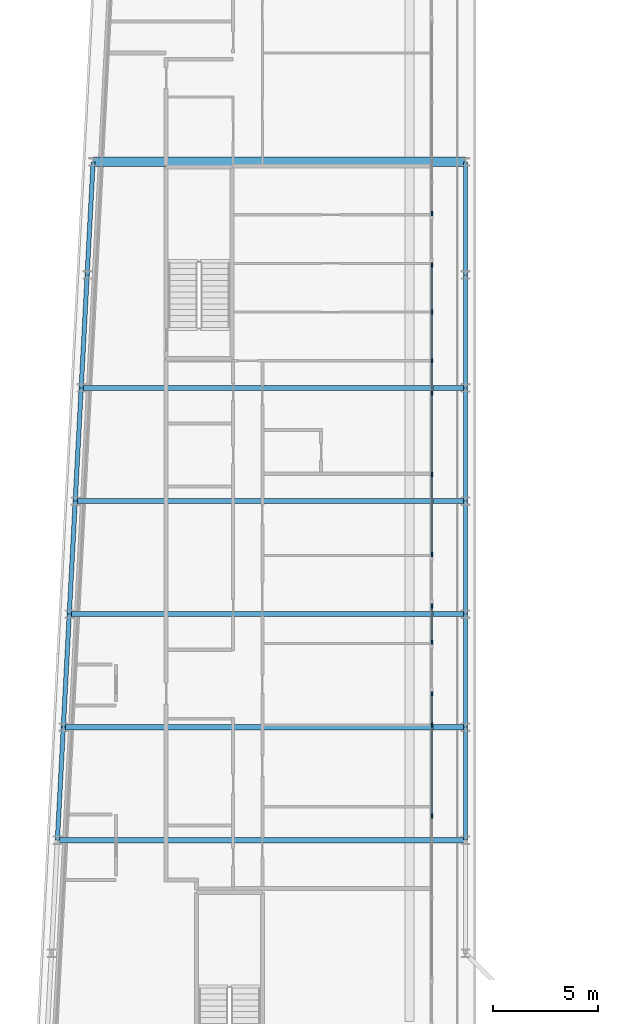
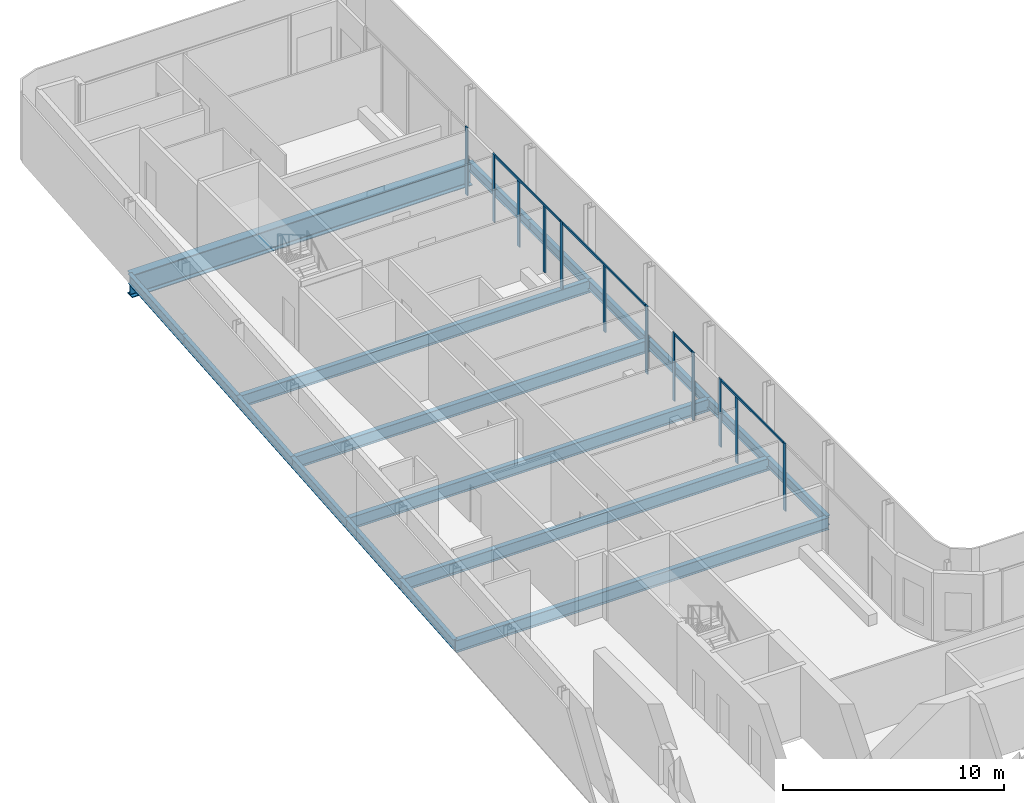
# One storey, part 7 of 21: 18 beams, 16 members, 5 elements without a shape of their own.
"""IFC4 building model written with IfcOpenShell, lengths in metres."""

from ifc_helpers import new_model, si_unit, direction, frame, origin, origin_2d, place, context, subcontext, project, spatial, rectangle, i_section, extrude, material, layer, layer_set, material_profile, profile_set, type_object, element, aggregate, save


model = new_model("IFC4")

# Units and contexts
model_context = context("Model", 3, precision=1e-05, world=origin(), true_north=direction((0.0, 1.0)))
body_context = subcontext(model_context, "Body", "Model", "MODEL_VIEW")
ifc_project = project(units=[si_unit("LENGTHUNIT", "METRE"), si_unit("AREAUNIT", "SQUARE_METRE"), si_unit("VOLUMEUNIT", "CUBIC_METRE"), si_unit("PLANEANGLEUNIT", "RADIAN"), si_unit("MASSUNIT", "GRAM", prefix="KILO")], contexts=[model_context])

# Site, building, storey
site_placement = place(None, origin())
site = spatial("IfcSite", under=ifc_project, at=site_placement, CompositionType="ELEMENT")
building_placement = place(site_placement, origin())
building = spatial("IfcBuilding", under=site, at=building_placement, Name="Kheshtan School and Residences Tower", CompositionType="ELEMENT")
storey_placement = place(building_placement, frame((0.0, 0.0, 317.60009765625)))
storey = spatial("IfcBuildingStorey", under=building, at=storey_placement, Name="L75", CompositionType="ELEMENT", Elevation=317.60009765625)

# Beams
ifc_material_1 = material(Name="Steel ASTM A992 Grade 50", Category="steel")
ifc_material_profile_1 = material_profile(ifc_material_1, i_section(OverallWidth=0.2529296875, OverallDepth=0.677978515625, WebThickness=0.01171875, FlangeThickness=0.016357421875, FilletRadius=0.0146484375, at=origin_2d()), Name="W690x125")
ifc_profile_set_1 = profile_set([ifc_material_profile_1], Name="Steel ASTM A992 Grade 50")
beam_type_1 = type_object("IfcBeamType", Name="Beam FB6 W690x125 ASTM A992 Grade 50", PredefinedType="BEAM", material=ifc_profile_set_1)
beam_1_placement = place(storey_placement, frame((47.60009765625, 78.0, -0.489013671875), z_axis=(-1.0, 0.0, 0.0), x_axis=(0.0, -1.0, 0.0)))
element("IfcBeam", 1, at=beam_1_placement, inside=storey, type_object=beam_type_1, Name="Floor beam C089", PredefinedType="BEAM", context=body_context, shape_type="SweptSolid", body=[
    extrude(i_section(OverallWidth=0.2529296875, OverallDepth=0.677978515625, WebThickness=0.01171875, FlangeThickness=0.016357421875, FilletRadius=0.0146484375, at=origin_2d()), origin(), (0.0, 0.0, 1.0), 18.357177734375),
])
beam_2_placement = place(storey_placement, frame((47.60009765625, 67.199951171875, -0.489013671875), z_axis=(-1.0, 0.0, 0.0), x_axis=(0.0, -1.0, 0.0)))
element("IfcBeam", 2, at=beam_2_placement, inside=storey, type_object=beam_type_1, Name="Floor beam C085", PredefinedType="BEAM", context=body_context, shape_type="SweptSolid", body=[
    extrude(i_section(OverallWidth=0.2529296875, OverallDepth=0.677978515625, WebThickness=0.01171875, FlangeThickness=0.016357421875, FilletRadius=0.0146484375, at=origin_2d()), origin(), (0.0, 0.0, 1.0), 18.926025390625),
])
beam_3_placement = place(storey_placement, frame((47.60009765625, 56.39990234375, -0.489013671875), z_axis=(-1.0, 0.0, 0.0), x_axis=(0.0, -1.0, 0.0)))
element("IfcBeam", 3, at=beam_3_placement, inside=storey, type_object=beam_type_1, Name="Floor beam C081", PredefinedType="BEAM", context=body_context, shape_type="SweptSolid", body=[
    extrude(i_section(OverallWidth=0.2529296875, OverallDepth=0.677978515625, WebThickness=0.01171875, FlangeThickness=0.016357421875, FilletRadius=0.0146484375, at=origin_2d()), origin(), (0.0, 0.0, 1.0), 19.494140625),
])
beam_4_placement = place(storey_placement, frame((28.389892578125, 61.800048828125, -0.489013671875), z_axis=(1.0, 0.0, 0.0), x_axis=(0.0, 1.0, 0.0)))
element("IfcBeam", 4, at=beam_4_placement, inside=storey, type_object=beam_type_1, Name="Floor beam C082", PredefinedType="BEAM", context=body_context, shape_type="SweptSolid", body=[
    extrude(i_section(OverallWidth=0.2529296875, OverallDepth=0.677978515625, WebThickness=0.01171875, FlangeThickness=0.016357421875, FilletRadius=0.0146484375, at=origin_2d()), origin(), (0.0, 0.0, 1.0), 19.210205078125),
])
beam_5_placement = place(storey_placement, frame((28.9580078125, 72.60009765625, -0.489013671875), z_axis=(1.0, 0.0, 0.0), x_axis=(0.0, 1.0, 0.0)))
element("IfcBeam", 5, at=beam_5_placement, inside=storey, type_object=beam_type_1, Name="Floor beam C086", PredefinedType="BEAM", context=body_context, shape_type="SweptSolid", body=[
    extrude(i_section(OverallWidth=0.2529296875, OverallDepth=0.677978515625, WebThickness=0.01171875, FlangeThickness=0.016357421875, FilletRadius=0.0146484375, at=origin_2d()), origin(), (0.0, 0.0, 1.0), 18.64208984375),
])
ifc_material_profile_2 = material_profile(ifc_material_1, i_section(OverallWidth=0.208984375, OverallDepth=0.532958984375, WebThickness=0.01025390625, FlangeThickness=0.015625, FilletRadius=0.013916015625, at=origin_2d()), Name="W530x92")
ifc_profile_set_2 = profile_set([ifc_material_profile_2], Name="Steel ASTM A992 Grade 50")
beam_type_2 = type_object("IfcBeamType", Name="Beam SP3 W530x92 ASTM A992 Grade 50", PredefinedType="BEAM", material=ifc_profile_set_2)
beam_6_placement = place(storey_placement, frame((47.60009765625, 88.800048828125, -0.41650390625), z_axis=(0.0, -1.0, 0.0), x_axis=(1.0, 0.0, 0.0)))
element("IfcBeam", 6, at=beam_6_placement, inside=storey, type_object=beam_type_2, Name="Spandrel beam C099-C091", PredefinedType="BEAM", context=body_context, shape_type="SweptSolid", body=[
    extrude(i_section(OverallWidth=0.208984375, OverallDepth=0.532958984375, WebThickness=0.01025390625, FlangeThickness=0.015625, FilletRadius=0.013916015625, at=origin_2d()), origin(), (0.0, 0.0, 1.0), 5.400146484375),
])
for number, where, z_axis, x_axis, name in (
    (7, (47.60009765625, 83.39990234375, -0.41650390625), (0.0, -1.0, 0.0), (1.0, 0.0, 0.0), "Spandrel beam C091-C089"),
    (8, (47.60009765625, 78.0, -0.41650390625), (0.0, -1.0, 0.0), (1.0, 0.0, 0.0), "Spandrel beam C089-C087"),
):
    element("IfcBeam", number, at=place(storey_placement, frame(where, z_axis=z_axis, x_axis=x_axis)), inside=storey, type_object=beam_type_2, Name=name, PredefinedType="BEAM", context=body_context, shape_type="SweptSolid", body=[
        extrude(i_section(OverallWidth=0.208984375, OverallDepth=0.532958984375, WebThickness=0.01025390625, FlangeThickness=0.015625, FilletRadius=0.013916015625, at=origin_2d()), origin(), (0.0, 0.0, 1.0), 5.39990234375),
    ])
beam_7_placement = place(storey_placement, frame((47.60009765625, 72.60009765625, -0.41650390625), z_axis=(0.0, -1.0, 0.0), x_axis=(1.0, 0.0, 0.0)))
element("IfcBeam", 9, at=beam_7_placement, inside=storey, type_object=beam_type_2, Name="Spandrel beam C087-C085", PredefinedType="BEAM", context=body_context, shape_type="SweptSolid", body=[
    extrude(i_section(OverallWidth=0.208984375, OverallDepth=0.532958984375, WebThickness=0.01025390625, FlangeThickness=0.015625, FilletRadius=0.013916015625, at=origin_2d()), origin(), (0.0, 0.0, 1.0), 5.400146484375),
])
beam_8_placement = place(storey_placement, frame((47.60009765625, 67.199951171875, -0.41650390625), z_axis=(0.0, -1.0, 0.0), x_axis=(1.0, 0.0, 0.0)))
element("IfcBeam", 10, at=beam_8_placement, inside=storey, type_object=beam_type_2, Name="Spandrel beam C085-C083", PredefinedType="BEAM", context=body_context, shape_type="SweptSolid", body=[
    extrude(i_section(OverallWidth=0.208984375, OverallDepth=0.532958984375, WebThickness=0.01025390625, FlangeThickness=0.015625, FilletRadius=0.013916015625, at=origin_2d()), origin(), (0.0, 0.0, 1.0), 5.39990234375),
])
beam_9_placement = place(storey_placement, frame((47.60009765625, 61.800048828125, -0.41650390625), z_axis=(0.0, -1.0, 0.0), x_axis=(1.0, 0.0, 0.0)))
element("IfcBeam", 11, at=beam_9_placement, inside=storey, type_object=beam_type_2, Name="Spandrel beam C083-C081", PredefinedType="BEAM", context=body_context, shape_type="SweptSolid", body=[
    extrude(i_section(OverallWidth=0.208984375, OverallDepth=0.532958984375, WebThickness=0.01025390625, FlangeThickness=0.015625, FilletRadius=0.013916015625, at=origin_2d()), origin(), (0.0, 0.0, 1.0), 5.400146484375),
])
beam_10_placement = place(storey_placement, frame((28.10595703125, 56.39990234375, -0.41650390625), z_axis=(0.05250670125, 0.998620571751, 0.0), x_axis=(-0.998620571751, 0.05250670125, 0.0)))
element("IfcBeam", 12, at=beam_10_placement, inside=storey, type_object=beam_type_2, Name="Spandrel beam C080-C082", PredefinedType="BEAM", context=body_context, shape_type="SweptSolid", body=[
    extrude(i_section(OverallWidth=0.208984375, OverallDepth=0.532958984375, WebThickness=0.01025390625, FlangeThickness=0.015625, FilletRadius=0.013916015625, at=origin_2d()), origin(), (0.0, 0.0, 1.0), 5.40771484375),
])
beam_11_placement = place(storey_placement, frame((28.389892578125, 61.800048828125, -0.41650390625), z_axis=(0.052554093665, 0.998618078766, 0.0), x_axis=(-0.998618078766, 0.052554093665, 0.0)))
element("IfcBeam", 13, at=beam_11_placement, inside=storey, type_object=beam_type_2, Name="Spandrel beam C082-C084", PredefinedType="BEAM", context=body_context, shape_type="SweptSolid", body=[
    extrude(i_section(OverallWidth=0.208984375, OverallDepth=0.532958984375, WebThickness=0.01025390625, FlangeThickness=0.015625, FilletRadius=0.013916015625, at=origin_2d()), origin(), (0.0, 0.0, 1.0), 5.407470703125),
])
beam_12_placement = place(storey_placement, frame((28.674072265625, 67.199951171875, -0.41650390625), z_axis=(0.05250670125, 0.998620571751, 0.0), x_axis=(-0.998620571751, 0.05250670125, 0.0)))
element("IfcBeam", 14, at=beam_12_placement, inside=storey, type_object=beam_type_2, Name="Spandrel beam C084-C086", PredefinedType="BEAM", context=body_context, shape_type="SweptSolid", body=[
    extrude(i_section(OverallWidth=0.208984375, OverallDepth=0.532958984375, WebThickness=0.01025390625, FlangeThickness=0.015625, FilletRadius=0.013916015625, at=origin_2d()), origin(), (0.0, 0.0, 1.0), 5.40771484375),
])
for number, where, z_axis, x_axis, name in (
    (15, (28.9580078125, 72.60009765625, -0.41650390625), (0.052689166816, 0.998610961136, 0.0), (-0.998610961136, 0.052689166816, 0.0), "Spandrel beam C086-C088"),
    (16, (29.242919921875, 78.0, -0.41650390625), (0.052554093665, 0.998618078766, 0.0), (-0.998618078766, 0.052554093665, 0.0), "Spandrel beam C088-C090"),
):
    element("IfcBeam", number, at=place(storey_placement, frame(where, z_axis=z_axis, x_axis=x_axis)), inside=storey, type_object=beam_type_2, Name=name, PredefinedType="BEAM", context=body_context, shape_type="SweptSolid", body=[
        extrude(i_section(OverallWidth=0.208984375, OverallDepth=0.532958984375, WebThickness=0.01025390625, FlangeThickness=0.015625, FilletRadius=0.013916015625, at=origin_2d()), origin(), (0.0, 0.0, 1.0), 5.407470703125),
    ])
beam_13_placement = place(storey_placement, frame((29.527099609375, 83.39990234375, -0.41650390625), z_axis=(0.05250670125, 0.998620571751, 0.0), x_axis=(-0.998620571751, 0.05250670125, 0.0)))
element("IfcBeam", 17, at=beam_13_placement, inside=storey, type_object=beam_type_2, Name="Spandrel beam C090-C098", PredefinedType="BEAM", context=body_context, shape_type="SweptSolid", body=[
    extrude(i_section(OverallWidth=0.208984375, OverallDepth=0.532958984375, WebThickness=0.01025390625, FlangeThickness=0.015625, FilletRadius=0.013916015625, at=origin_2d()), origin(), (0.0, 0.0, 1.0), 5.40771484375),
])

# Curtain wall, member
ifc_material_2 = material(Name="Clear low-e glass in thermally broken aluminium frame", Category="aluminium")
ifc_layer = layer(ifc_material_2, 0.199951171875)
ifc_layer_set = layer_set([ifc_layer], Name="Curtain wall CW-L")
curtain_wall_type = type_object("IfcCurtainWallType", Name="Curtain wall CW-L", PredefinedType="NOTDEFINED", material=ifc_layer_set)
curtain_wall_1_placement = place(storey_placement, origin())
curtain_wall_1 = element("IfcCurtainWall", 18, at=curtain_wall_1_placement, inside=storey, type_object=curtain_wall_type, Name="Curtain wall CWL8a", PredefinedType="NOTDEFINED")
ifc_material_3 = material(Name="Thermally broken aluminium, dark bronze anodised", Category="aluminium")
ifc_material_profile_3 = material_profile(ifc_material_3, rectangle(XDim=0.06005859375, YDim=0.199951171875, at=origin_2d()), Name="CW-L mullion 60x200")
ifc_profile_set_3 = profile_set([ifc_material_profile_3], Name="Thermally broken aluminium, dark bronze anodised")
member_type_1 = type_object("IfcMemberType", Name="CW-L mullion 60x200", PredefinedType="MULLION", material=ifc_profile_set_3)
member_1_placement = place(storey_placement, frame((46.0, 86.3359375, 0.0), z_axis=(0.0, 0.0, 1.0), x_axis=(1.0, 0.0, 0.0)))
member_1 = element("IfcMember", 19, at=member_1_placement, type_object=member_type_1, Name="CWL8a mullion 2", PredefinedType="MULLION", context=body_context, shape_type="SweptSolid", body=[
    extrude(rectangle(XDim=0.06005859375, YDim=0.199951171875, at=origin_2d()), origin(), (0.0, 0.0, 1.0), 3.75),
])
aggregate(curtain_wall_1, [member_1])

# Curtain wall, members
curtain_wall_2_placement = place(storey_placement, origin())
curtain_wall_2 = element("IfcCurtainWall", 20, at=curtain_wall_2_placement, inside=storey, type_object=curtain_wall_type, Name="Curtain wall CWL8b", PredefinedType="NOTDEFINED")
member_2_placement = place(storey_placement, frame((46.0, 83.8759765625, 0.0), z_axis=(0.0, 0.0, 1.0), x_axis=(1.0, 0.0, 0.0)))
member_2 = element("IfcMember", 21, at=member_2_placement, type_object=member_type_1, Name="CWL8b mullion 1", PredefinedType="MULLION", context=body_context, shape_type="SweptSolid", body=[
    extrude(rectangle(XDim=0.06005859375, YDim=0.199951171875, at=origin_2d()), origin(), (0.0, 0.0, 1.0), 3.75),
])
member_3_placement = place(storey_placement, frame((46.0, 81.625, 0.0), z_axis=(0.0, 0.0, 1.0), x_axis=(1.0, 0.0, 0.0)))
member_3 = element("IfcMember", 22, at=member_3_placement, type_object=member_type_1, Name="CWL8b mullion 2", PredefinedType="MULLION", context=body_context, shape_type="SweptSolid", body=[
    extrude(rectangle(XDim=0.06005859375, YDim=0.199951171875, at=origin_2d()), origin(), (0.0, 0.0, 1.0), 3.6298828125),
])
member_4_placement = place(storey_placement, frame((46.0, 79.300048828125, 0.0), z_axis=(0.0, 0.0, 1.0), x_axis=(1.0, 0.0, 0.0)))
member_4 = element("IfcMember", 23, at=member_4_placement, type_object=member_type_1, Name="CWL8b mullion 3", PredefinedType="MULLION", context=body_context, shape_type="SweptSolid", body=[
    extrude(rectangle(XDim=0.06005859375, YDim=0.199951171875, at=origin_2d()), origin(), (0.0, 0.0, 1.0), 3.6298828125),
])
member_5_placement = place(storey_placement, frame((46.0, 77.741943359375, 0.0), z_axis=(0.0, 0.0, 1.0), x_axis=(1.0, 0.0, 0.0)))
member_5 = element("IfcMember", 24, at=member_5_placement, type_object=member_type_1, Name="CWL8b mullion 4", PredefinedType="MULLION", context=body_context, shape_type="SweptSolid", body=[
    extrude(rectangle(XDim=0.06005859375, YDim=0.199951171875, at=origin_2d()), origin(), (0.0, 0.0, 1.0), 3.75),
])

curtain_wall_3_placement = place(storey_placement, origin())
curtain_wall_3 = element("IfcCurtainWall", 25, at=curtain_wall_3_placement, inside=storey, type_object=curtain_wall_type, Name="Curtain wall CWL8", PredefinedType="NOTDEFINED")
member_6_placement = place(storey_placement, frame((46.0, 73.864990234375, 0.0), z_axis=(0.0, 0.0, 1.0), x_axis=(1.0, 0.0, 0.0)))
member_6 = element("IfcMember", 26, at=member_6_placement, type_object=member_type_1, Name="CWL8 mullion 2", PredefinedType="MULLION", context=body_context, shape_type="SweptSolid", body=[
    extrude(rectangle(XDim=0.06005859375, YDim=0.199951171875, at=origin_2d()), origin(), (0.0, 0.0, 1.0), 3.6298828125),
])
member_7_placement = place(storey_placement, frame((46.0, 70.048095703125, 0.0), z_axis=(0.0, 0.0, 1.0), x_axis=(1.0, 0.0, 0.0)))
member_7 = element("IfcMember", 27, at=member_7_placement, type_object=member_type_1, Name="CWL8 mullion 3", PredefinedType="MULLION", context=body_context, shape_type="SweptSolid", body=[
    extrude(rectangle(XDim=0.06005859375, YDim=0.199951171875, at=origin_2d()), origin(), (0.0, 0.0, 1.0), 3.75),
])

curtain_wall_4_placement = place(storey_placement, origin())
curtain_wall_4 = element("IfcCurtainWall", 28, at=curtain_wall_4_placement, inside=storey, type_object=curtain_wall_type, Name="Curtain wall CWL8e", PredefinedType="NOTDEFINED")
member_8_placement = place(storey_placement, frame((46.0, 67.587890625, 0.0), z_axis=(0.0, 0.0, 1.0), x_axis=(1.0, 0.0, 0.0)))
member_8 = element("IfcMember", 29, at=member_8_placement, type_object=member_type_1, Name="CWL8e mullion 1", PredefinedType="MULLION", context=body_context, shape_type="SweptSolid", body=[
    extrude(rectangle(XDim=0.06005859375, YDim=0.199951171875, at=origin_2d()), origin(), (0.0, 0.0, 1.0), 3.75),
])
member_9_placement = place(storey_placement, frame((46.0, 65.847900390625, 0.0), z_axis=(0.0, 0.0, 1.0), x_axis=(1.0, 0.0, 0.0)))
member_9 = element("IfcMember", 30, at=member_9_placement, type_object=member_type_1, Name="CWL8e mullion 2", PredefinedType="MULLION", context=body_context, shape_type="SweptSolid", body=[
    extrude(rectangle(XDim=0.06005859375, YDim=0.199951171875, at=origin_2d()), origin(), (0.0, 0.0, 1.0), 3.75),
])

curtain_wall_5_placement = place(storey_placement, origin())
curtain_wall_5 = element("IfcCurtainWall", 31, at=curtain_wall_5_placement, inside=storey, type_object=curtain_wall_type, Name="Curtain wall CWL8m", PredefinedType="NOTDEFINED")
member_10_placement = place(storey_placement, frame((46.0, 63.387939453125, 0.0), z_axis=(0.0, 0.0, 1.0), x_axis=(1.0, 0.0, 0.0)))
member_10 = element("IfcMember", 32, at=member_10_placement, type_object=member_type_1, Name="CWL8m mullion 1", PredefinedType="MULLION", context=body_context, shape_type="SweptSolid", body=[
    extrude(rectangle(XDim=0.06005859375, YDim=0.199951171875, at=origin_2d()), origin(), (0.0, 0.0, 1.0), 3.75),
])
member_11_placement = place(storey_placement, frame((46.0, 61.89990234375, 0.0), z_axis=(0.0, 0.0, 1.0), x_axis=(1.0, 0.0, 0.0)))
member_11 = element("IfcMember", 33, at=member_11_placement, type_object=member_type_1, Name="CWL8m mullion 2", PredefinedType="MULLION", context=body_context, shape_type="SweptSolid", body=[
    extrude(rectangle(XDim=0.06005859375, YDim=0.199951171875, at=origin_2d()), origin(), (0.0, 0.0, 1.0), 3.6298828125),
])
member_12_placement = place(storey_placement, frame((46.0, 57.553955078125, 0.0), z_axis=(0.0, 0.0, 1.0), x_axis=(1.0, 0.0, 0.0)))
member_12 = element("IfcMember", 34, at=member_12_placement, type_object=member_type_1, Name="CWL8m mullion 3", PredefinedType="MULLION", context=body_context, shape_type="SweptSolid", body=[
    extrude(rectangle(XDim=0.06005859375, YDim=0.199951171875, at=origin_2d()), origin(), (0.0, 0.0, 1.0), 3.75),
])

# Member
ifc_material_profile_4 = material_profile(ifc_material_3, rectangle(XDim=0.06005859375, YDim=0.1201171875, at=origin_2d()), Name="CW-L transom 60x120")
ifc_profile_set_4 = profile_set([ifc_material_profile_4], Name="Thermally broken aluminium, dark bronze anodised")
member_type_2 = type_object("IfcMemberType", Name="CW-L transom 60x120", PredefinedType="USERDEFINED", material=ifc_profile_set_4)
member_13_placement = place(storey_placement, frame((46.0, 83.845947265625, 3.68994140625), z_axis=(0.0, -1.0, 0.0), x_axis=(1.0, 0.0, 0.0)))
member_13 = element("IfcMember", 35, at=member_13_placement, type_object=member_type_2, Name="CWL8b transom 1", ObjectType="TRANSOM", PredefinedType="USERDEFINED", context=body_context, shape_type="SweptSolid", body=[
    extrude(rectangle(XDim=0.06005859375, YDim=0.1201171875, at=origin_2d()), origin(), (0.0, 0.0, 1.0), 6.073974609375),
])

aggregate(curtain_wall_2, [member_2, member_3, member_4, member_5, member_13])

member_14_placement = place(storey_placement, frame((46.0, 77.7119140625, 3.68994140625), z_axis=(0.0, -1.0, 0.0), x_axis=(1.0, 0.0, 0.0)))
member_14 = element("IfcMember", 36, at=member_14_placement, type_object=member_type_2, Name="CWL8 transom 1", ObjectType="TRANSOM", PredefinedType="USERDEFINED", context=body_context, shape_type="SweptSolid", body=[
    extrude(rectangle(XDim=0.06005859375, YDim=0.1201171875, at=origin_2d()), origin(), (0.0, 0.0, 1.0), 7.634033203125),
])

aggregate(curtain_wall_3, [member_6, member_7, member_14])

member_15_placement = place(storey_placement, frame((46.0, 67.55810546875, 3.68994140625), z_axis=(0.0, -1.0, 0.0), x_axis=(1.0, 0.0, 0.0)))
member_15 = element("IfcMember", 37, at=member_15_placement, type_object=member_type_2, Name="CWL8e transom 1", ObjectType="TRANSOM", PredefinedType="USERDEFINED", context=body_context, shape_type="SweptSolid", body=[
    extrude(rectangle(XDim=0.06005859375, YDim=0.1201171875, at=origin_2d()), origin(), (0.0, 0.0, 1.0), 1.68017578125),
])

aggregate(curtain_wall_4, [member_8, member_9, member_15])

member_16_placement = place(storey_placement, frame((46.0, 63.35791015625, 3.68994140625), z_axis=(0.0, -1.0, 0.0), x_axis=(1.0, 0.0, 0.0)))
member_16 = element("IfcMember", 38, at=member_16_placement, type_object=member_type_2, Name="CWL8m transom 1", ObjectType="TRANSOM", PredefinedType="USERDEFINED", context=body_context, shape_type="SweptSolid", body=[
    extrude(rectangle(XDim=0.06005859375, YDim=0.1201171875, at=origin_2d()), origin(), (0.0, 0.0, 1.0), 5.77392578125),
])

aggregate(curtain_wall_5, [member_10, member_11, member_12, member_16])

# Beam
ifc_material_profile_5 = material_profile(ifc_material_1, i_section(OverallWidth=0.449951171875, OverallDepth=1.25, WebThickness=0.02490234375, FlangeThickness=0.044921875, FilletRadius=0.03759765625, at=origin_2d()), Name="WWF1250x546")
ifc_profile_set_5 = profile_set([ifc_material_profile_5], Name="Steel ASTM A992 Grade 50")
beam_type_3 = type_object("IfcBeamType", Name="Transfer girder TG4 WWF1250x546 ASTM A992 Grade 50", PredefinedType="BEAM", material=ifc_profile_set_5)
beam_14_placement = place(storey_placement, frame((29.81103515625, 88.800048828125, -0.775146484375), z_axis=(1.0, 0.0, 0.0), x_axis=(0.0, 1.0, 0.0)))
element("IfcBeam", 39, at=beam_14_placement, inside=storey, type_object=beam_type_3, Name="Transfer girder C098-C099", PredefinedType="BEAM", context=body_context, shape_type="SweptSolid", body=[
    extrude(i_section(OverallWidth=0.449951171875, OverallDepth=1.25, WebThickness=0.02490234375, FlangeThickness=0.044921875, FilletRadius=0.03759765625, at=origin_2d()), origin(), (0.0, 0.0, 1.0), 17.7890625),
])

save(model, "model.ifc")
